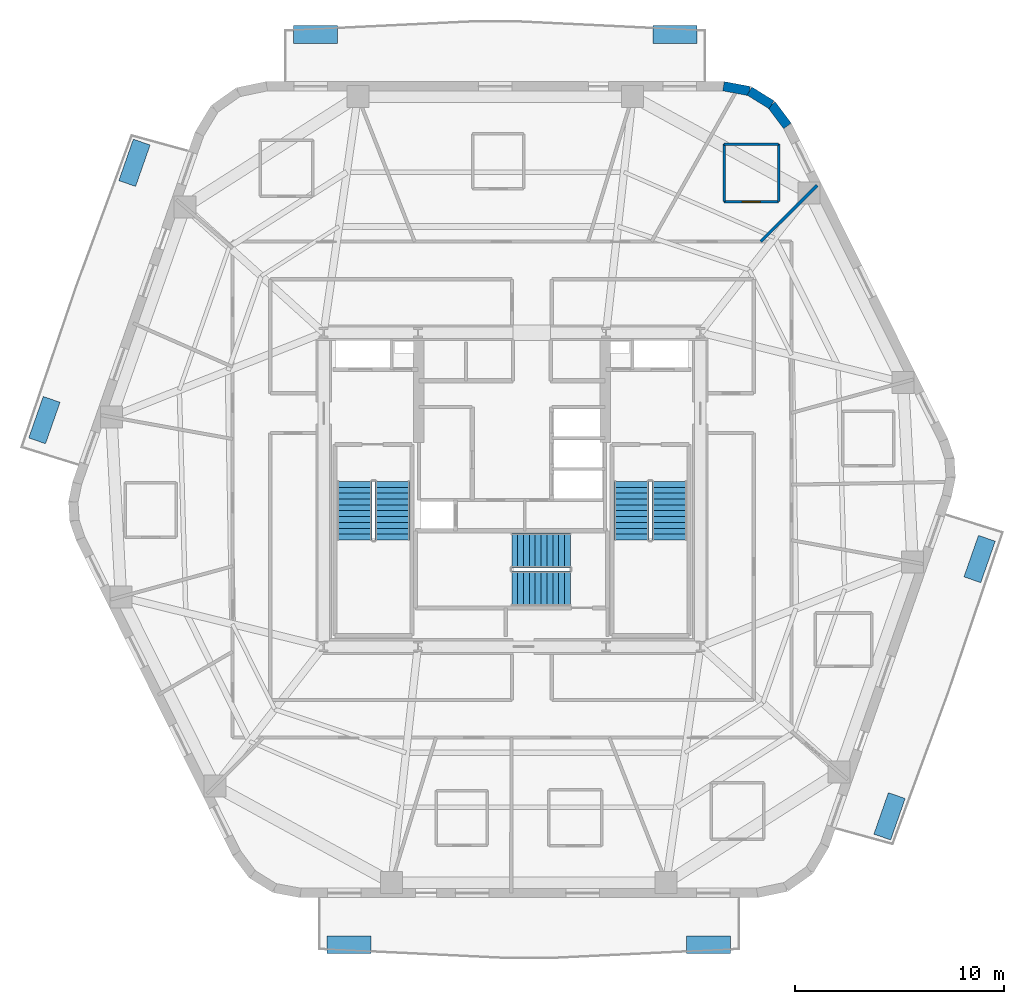
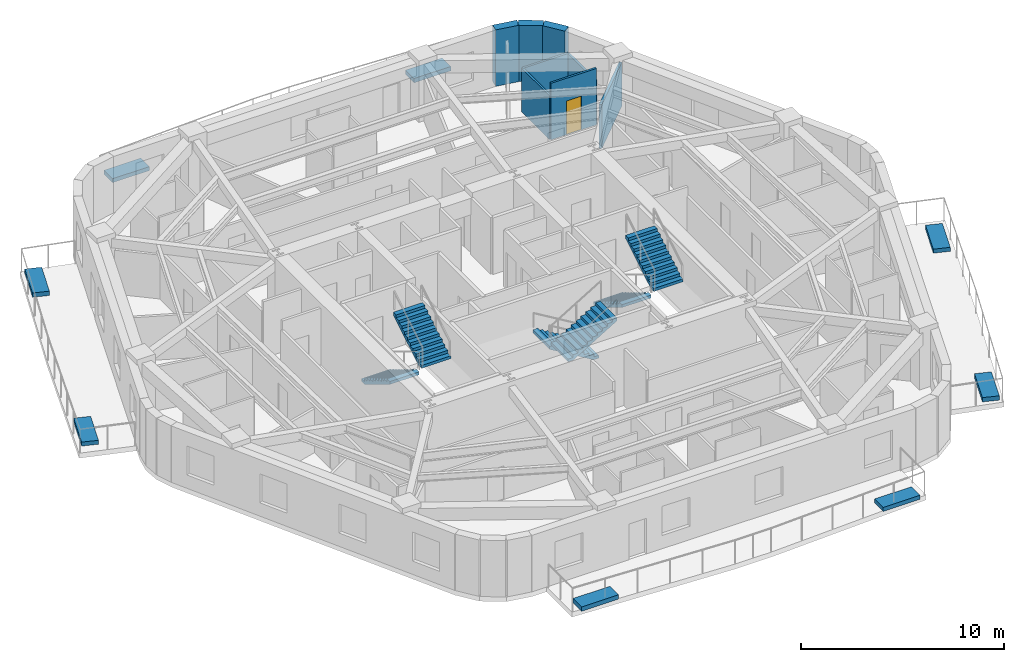
# One storey, part 7 of 11: 8 discrete accessories, 8 walls, 6 stair flights, 1 door, 1 opening, 3 elements without a shape of their own.
"""IFC4 building model written with IfcOpenShell, lengths in metres."""

import ifcopenshell
import ifcopenshell.guid

model = None  # the IFC model being written
_history = None  # IfcOwnerHistory: only IFC2X3 demands one
_inside = {}  # id of a spatial element -> (the spatial element, [elements in it])
_under = {}  # id of a project, library or spatial element -> (it, [spatial elements below it])
_declared = {}  # id of a project -> (the project, [libraries it declares])
_typed = {}  # id of a type object -> (the type object, [elements of that type])
_made_of = {}  # id of a material, layer set ... -> (it, [elements and type objects made of it])


def new_model(schema):
    """Start an empty IFC model of exactly this schema.

    Asked for "IFC4X3", IfcOpenShell would pick the latest addendum, in which some entities
    have other attributes; the version numbers below select the first issue.
    IFC2X3 requires an IfcOwnerHistory on every rooted entity: one is made here for all.
    """
    global model, _history
    if schema == "IFC4X3":
        model = ifcopenshell.file(schema_version=(4, 3, 0, 0))
    else:
        model = ifcopenshell.file(schema=schema)
    _inside.clear()
    _under.clear()
    _declared.clear()
    _typed.clear()
    _made_of.clear()
    _history = None
    if model.schema == "IFC2X3":
        org = make("IfcOrganization", Name="unknown")
        user = make(
            "IfcPersonAndOrganization",
            ThePerson=make("IfcPerson", FamilyName="unknown"),
            TheOrganization=org,
        )
        app = make(
            "IfcApplication",
            ApplicationDeveloper=org,
            Version="unknown",
            ApplicationFullName="unknown",
            ApplicationIdentifier="unknown",
        )
        _history = make(
            "IfcOwnerHistory",
            OwningUser=user,
            OwningApplication=app,
            ChangeAction="ADDED",
            CreationDate=0,
        )
    return model


def make(cls, **values):
    """One entity of the class cls with the attributes given. An attribute that is None is left unset."""
    return model.create_entity(
        cls, **{name: value for name, value in values.items() if value is not None}
    )


def rooted(cls, **values):
    """An entity with a GlobalId (a new one), such as an element, a storey or a relation."""
    return make(cls, GlobalId=ifcopenshell.guid.new(), OwnerHistory=_history, **values)


def si_unit(unit_type, name, prefix=None):
    """IfcSIUnit, for example si_unit("LENGTHUNIT", "METRE", prefix="MILLI")."""
    return make("IfcSIUnit", UnitType=unit_type, Prefix=prefix, Name=name)


def assignment(units):
    """IfcUnitAssignment: the units of a project."""
    return None if units is None else make("IfcUnitAssignment", Units=units)


def point(xyz):
    """IfcCartesianPoint."""
    return None if xyz is None else make("IfcCartesianPoint", Coordinates=xyz)


def direction(xyz):
    """IfcDirection."""
    return None if xyz is None else make("IfcDirection", DirectionRatios=xyz)


def frame(location, z_axis=None, x_axis=None):
    """IfcAxis2Placement3D, a coordinate frame: its origin and axes. An axis left out is left unset."""
    return make(
        "IfcAxis2Placement3D",
        Location=point(location),
        Axis=direction(z_axis),
        RefDirection=direction(x_axis),
    )


def frame_2d(location, x_axis=None):
    """IfcAxis2Placement2D, a coordinate frame in the plane: its origin and x axis."""
    return make(
        "IfcAxis2Placement2D", Location=point(location), RefDirection=direction(x_axis)
    )


def origin():
    """The frame at (0, 0, 0) with its axes left unset."""
    return frame((0.0, 0.0, 0.0))


def origin_2d():
    """The frame at (0, 0) in the plane with its x axis left unset."""
    return frame_2d((0.0, 0.0))


def place(relative_to, where):
    """IfcLocalPlacement: puts the frame where relative to a parent placement (None: the world)."""
    return make(
        "IfcLocalPlacement", PlacementRelTo=relative_to, RelativePlacement=where
    )


def context(
    kind, dimensions, precision=None, world=None, true_north=None, identifier=None
):
    """IfcGeometricRepresentationContext, for example the 3D "Model" context."""
    return make(
        "IfcGeometricRepresentationContext",
        ContextIdentifier=identifier,
        ContextType=kind,
        CoordinateSpaceDimension=dimensions,
        Precision=precision,
        WorldCoordinateSystem=world,
        TrueNorth=true_north,
    )


def subcontext(parent, identifier, kind, view, scale=None):
    """IfcGeometricRepresentationSubContext, for example "Body" below "Model"."""
    return make(
        "IfcGeometricRepresentationSubContext",
        ContextIdentifier=identifier,
        ContextType=kind,
        ParentContext=parent,
        TargetScale=scale,
        TargetView=view,
    )


def project(units=None, contexts=None):
    """IfcProject with its units and contexts."""
    return rooted(
        "IfcProject",
        Name="project",
        RepresentationContexts=contexts,
        UnitsInContext=assignment(units),
    )


def spatial(cls, under=None, at=None, **own):
    """A site, building, storey or space (cls), placed at a placement, below another one or the project."""
    s = rooted(cls, ObjectPlacement=at, **own)
    if under is not None:
        _under.setdefault(under.id(), (under, []))[1].append(s)
    return s


def polyline(points):
    """IfcPolyline through the points."""
    return make("IfcPolyline", Points=[point(p) for p in points])


def profile(cls, at=None, kind="AREA", **sizes):
    """A parametric profile (cls). Its sizes go by their IFC names, for example OverallWidth=200.0."""
    return make(cls, ProfileType=kind, Position=at, **sizes)


def rectangle(**sizes):
    """IfcRectangleProfileDef."""
    return profile("IfcRectangleProfileDef", **sizes)


def outline(outer, holes=None, kind="AREA"):
    """IfcArbitraryClosedProfileDef: a profile drawn as a closed curve; with holes, ...WithVoids."""
    if holes is None:
        return make("IfcArbitraryClosedProfileDef", ProfileType=kind, OuterCurve=outer)
    return make(
        "IfcArbitraryProfileDefWithVoids",
        ProfileType=kind,
        OuterCurve=outer,
        InnerCurves=holes,
    )


def extrude(swept, where, along, depth):
    """IfcExtrudedAreaSolid: the profile swept, set in the frame where, extruded along a direction by depth."""
    return make(
        "IfcExtrudedAreaSolid",
        SweptArea=swept,
        Position=where,
        ExtrudedDirection=direction(along),
        Depth=depth,
    )


def shape(context_of_items, identifier, shape_type, items):
    """IfcShapeRepresentation: the items that make up one representation, for example the "Body"."""
    return make(
        "IfcShapeRepresentation",
        ContextOfItems=context_of_items,
        RepresentationIdentifier=identifier,
        RepresentationType=shape_type,
        Items=items,
    )


def material(Name=None, Category=None):
    """IfcMaterial."""
    return make("IfcMaterial", Name=Name, Category=Category)


def layer(
    of_material, thickness, ventilated=None, Name=None, Category=None, Priority=None
):
    """IfcMaterialLayer: one layer of a wall or slab, of a material (None: an air gap)."""
    return make(
        "IfcMaterialLayer",
        Material=of_material,
        LayerThickness=thickness,
        IsVentilated=ventilated,
        Name=Name,
        Category=Category,
        Priority=Priority,
    )


def layer_set(layers, Name=None):
    """IfcMaterialLayerSet."""
    return make("IfcMaterialLayerSet", MaterialLayers=layers, LayerSetName=Name)


def made_of(thing, what):
    """Note that an element or type object is made of a material, layer set ...; save() writes the relation."""
    if what is not None:
        _made_of.setdefault(what.id(), (what, []))[1].append(thing)
    return thing


def type_object(cls, material=None, **own):
    """A type object (cls), such as IfcWallType, which elements share."""
    return made_of(rooted(cls, **own), material)


def element(
    cls,
    number,
    at=None,
    inside=None,
    cuts=None,
    type_object=None,
    material=None,
    context=None,
    identifier="Body",
    shape_type=None,
    held_by="IfcProductDefinitionShape",
    body=None,
    shapes=None,
    **own,
):
    """One element of the class cls, such as IfcWall. Its Tag is "e" and its number.

    at: its placement. inside: the storey or other place that contains it. cuts: it is an
    opening in that element (IfcRelVoidsElement). A single representation is given by context,
    identifier, shape_type and body (its items); several are given by shapes. held_by: the class
    of the entity that holds the representations. save() writes the other relations.
    """
    e = rooted(cls, Tag="e%d" % number, ObjectPlacement=at, **own)
    if body is not None:
        shapes = [shape(context, identifier, shape_type, body)]
    if shapes is not None:
        e.Representation = make(held_by, Representations=shapes)
    if inside is not None:
        _inside.setdefault(inside.id(), (inside, []))[1].append(e)
    if cuts is not None:
        rooted(
            "IfcRelVoidsElement", RelatingBuildingElement=cuts, RelatedOpeningElement=e
        )
    if type_object is not None:
        _typed.setdefault(type_object.id(), (type_object, []))[1].append(e)
    return made_of(e, material)


def fill(opening, filler):
    """IfcRelFillsElement: the door or window that sits in an opening."""
    return rooted(
        "IfcRelFillsElement",
        RelatingOpeningElement=opening,
        RelatedBuildingElement=filler,
    )


def aggregate(whole, parts):
    """IfcRelAggregates: a whole, such as a stair, and the parts it consists of."""
    return rooted("IfcRelAggregates", RelatingObject=whole, RelatedObjects=parts)


def save(model, path):
    """Write the relations noted so far, then the file.

    IfcRelAggregates (storeys below a building ...), IfcRelContainedInSpatialStructure (elements
    in a storey), IfcRelDefinesByType, IfcRelAssociatesMaterial and IfcRelDeclares: one each for
    every whole, place, type object, material and project.
    """
    for whole, parts in _under.values():
        aggregate(whole, parts)
    for where, things in _inside.values():
        rooted(
            "IfcRelContainedInSpatialStructure",
            RelatedElements=things,
            RelatingStructure=where,
        )
    for kind, things in _typed.values():
        rooted("IfcRelDefinesByType", RelatedObjects=things, RelatingType=kind)
    for what, things in _made_of.values():
        rooted("IfcRelAssociatesMaterial", RelatedObjects=things, RelatingMaterial=what)
    for by, libraries in _declared.values():
        rooted("IfcRelDeclares", RelatingContext=by, RelatedDefinitions=libraries)
    model.write(path)


model = new_model("IFC4")

# Units and contexts
model_context = context("Model", 3, precision=1e-05, world=origin(), true_north=direction((0.0, 1.0)))
body_context = subcontext(model_context, "Body", "Model", "MODEL_VIEW")
ifc_project = project(units=[si_unit("LENGTHUNIT", "METRE"), si_unit("AREAUNIT", "SQUARE_METRE"), si_unit("VOLUMEUNIT", "CUBIC_METRE"), si_unit("PLANEANGLEUNIT", "RADIAN"), si_unit("MASSUNIT", "GRAM", prefix="KILO")], contexts=[model_context])

# Site, building, storey
site_placement = place(None, origin())
site = spatial("IfcSite", under=ifc_project, at=site_placement, CompositionType="ELEMENT")
building_placement = place(site_placement, origin())
building = spatial("IfcBuilding", under=site, at=building_placement, Name="Kilnhurst Terrace Hotel", CompositionType="ELEMENT")
storey_placement = place(building_placement, frame((0.0, 0.0, 194.10009765625)))
storey = spatial("IfcBuildingStorey", under=building, at=storey_placement, Name="L48", CompositionType="ELEMENT", Elevation=194.10009765625)

# Walls
ifc_material_1 = material(Name="Precast concrete C40/50", Category="concrete")
ifc_layer_1 = layer(ifc_material_1, 0.449951171875, Name="Precast concrete C40/50")
ifc_layer_set_1 = layer_set([ifc_layer_1], Name="Precast concrete C40/50")
wall_type_1 = type_object("IfcWallType", Name="WL-BRK-450", PredefinedType="SOLIDWALL", material=ifc_layer_set_1)
wall_1_placement = place(storey_placement, frame((13.162353515625, 17.380615234375, 0.0), z_axis=(0.0, 0.0, 1.0), x_axis=(-0.601515770517, 0.798860925205, 0.0)))
element("IfcWall", 1, at=wall_1_placement, inside=storey, type_object=wall_type_1, Name="L48 Rounded Corner Brick Wall C4.1", PredefinedType="SOLIDWALL", context=body_context, shape_type="SweptSolid", body=[
    extrude(rectangle(XDim=1.261962890625, YDim=0.449951171875, at=frame_2d((0.630859375, 0.0))), origin(), (0.0, 0.0, 1.0), 3.39990234375),
])
wall_2_placement = place(storey_placement, frame((12.4033203125, 18.388671875, 0.0), z_axis=(0.0, 0.0, 1.0), x_axis=(-0.849795170926, 0.527113049991, 0.0)))
element("IfcWall", 2, at=wall_2_placement, inside=storey, type_object=wall_type_1, Name="L48 Rounded Corner Brick Wall C4.2", PredefinedType="SOLIDWALL", context=body_context, shape_type="SweptSolid", body=[
    extrude(rectangle(XDim=1.24072265625, YDim=0.449951171875, at=frame_2d((0.620361328125, 0.0))), origin(), (0.0, 0.0, 1.0), 3.39990234375),
])
wall_3_placement = place(storey_placement, frame((11.348876953125, 19.042724609375, 0.0), z_axis=(0.0, 0.0, 1.0), x_axis=(-0.982931267051, 0.183973161772, 0.0)))
element("IfcWall", 3, at=wall_3_placement, inside=storey, type_object=wall_type_1, Name="L48 Rounded Corner Brick Wall C4.3", PredefinedType="SOLIDWALL", context=body_context, shape_type="SweptSolid", body=[
    extrude(rectangle(XDim=1.261962890625, YDim=0.449951171875, at=frame_2d((0.630859375, 0.0))), origin(), (0.0, 0.0, 1.0), 3.39990234375),
])
ifc_material_2 = material(Name="STC-58 Acoustic Twin-Frame Guestroom Demising Partition")
ifc_layer_2 = layer(ifc_material_2, 0.14990234375, Name="STC-58 Acoustic Twin-Frame Guestroom Demising Partition")
ifc_layer_set_2 = layer_set([ifc_layer_2], Name="STC-58 Acoustic Twin-Frame Guestroom Demising Partition")
wall_type_2 = type_object("IfcWallType", Name="WL-DEM-150", PredefinedType="PARTITIONING", material=ifc_layer_set_2)
wall_4_placement = place(storey_placement, frame((11.8818359375, 11.85009765625, 0.0), z_axis=(0.0, 0.0, 1.0), x_axis=(0.708037373639, 0.706174962407, 0.0)))
element("IfcWall", 4, at=wall_4_placement, inside=storey, type_object=wall_type_2, Name="L48 Interior Wall WL-L48-DEM-COL02-03-1", PredefinedType="PARTITIONING", context=body_context, shape_type="SweptSolid", body=[
    extrude(rectangle(XDim=3.801513671875, YDim=0.14990234375, at=frame_2d((1.90087890625, 0.0))), origin(), (0.0, 0.0, 1.0), 2.639892578125),
])

# Wall, opening, door
ifc_material_3 = material(Name="120 mm Moisture-Resistant Tile-Backed Bathroom Partition")
ifc_layer_3 = layer(ifc_material_3, 0.1201171875, Name="120 mm Moisture-Resistant Tile-Backed Bathroom Partition")
ifc_layer_set_3 = layer_set([ifc_layer_3], Name="120 mm Moisture-Resistant Tile-Backed Bathroom Partition")
wall_type_3 = type_object("IfcWallType", Name="WL-PART-120", PredefinedType="PARTITIONING", material=ifc_layer_set_3)
wall_5_placement = place(storey_placement, frame((10.135986328125, 13.760986328125, 0.0), z_axis=(0.0, 0.0, 1.0), x_axis=(1.0, 0.0, 0.0)))
wall_5 = element("IfcWall", 5, at=wall_5_placement, inside=storey, type_object=wall_type_3, Name="L48 Interior Wall WL-L48-BTH-03-1", PredefinedType="PARTITIONING", context=body_context, shape_type="SweptSolid", body=[
    extrude(rectangle(XDim=2.60009765625, YDim=0.1201171875, at=frame_2d((1.300048828125, 0.0))), origin(), (0.0, 0.0, 1.0), 3.39990234375),
])
opening_placement = place(wall_5_placement, frame((0.875, 0.0, 0.0)))
opening = element("IfcOpeningElement", 6, at=opening_placement, cuts=wall_5, Name="Opening D-08A", PredefinedType="OPENING", context=body_context, shape_type="SweptSolid", body=[
    extrude(rectangle(XDim=0.85009765625, YDim=2.030029296875, at=frame_2d((0.425048828125, 1.01513671875))), frame((0.0, 0.070068359375, 0.0), z_axis=(0.0, -1.0, 0.0), x_axis=(1.0, 0.0, 0.0)), (0.0, 0.0, 1.0), 0.14013671875),
])
ifc_material_4 = material(Name="Moisture-Resistant Lacquered En-suite Bathroom Door")
door_type = type_object("IfcDoorType", Name="DR-INT-850", OperationType="NOTDEFINED", PredefinedType="DOOR", material=ifc_material_4)
door_placement = place(opening_placement, origin())
door = element("IfcDoor", 7, at=door_placement, inside=storey, type_object=door_type, Name="L48 En-suite Bathroom Door 3", OperationType="SINGLE_SWING_RIGHT", OverallHeight=2.030029296875, OverallWidth=0.85009765625, PredefinedType="DOOR", context=body_context, shape_type="SweptSolid", body=[
    extrude(rectangle(XDim=0.85009765625, YDim=2.030029296875, at=frame_2d((0.425048828125, 1.01513671875))), frame((0.0, 0.02490234375, 0.0), z_axis=(0.0, -1.0, 0.0), x_axis=(1.0, 0.0, 0.0)), (0.0, 0.0, 1.0), 0.050048828125),
])
fill(opening, door)

# Walls
wall_6_placement = place(storey_placement, frame((12.736083984375, 13.760986328125, 0.0), z_axis=(0.0, 0.0, 1.0), x_axis=(0.0, 1.0, 0.0)))
element("IfcWall", 8, at=wall_6_placement, inside=storey, type_object=wall_type_3, Name="L48 Interior Wall WL-L48-BTH-03-2", PredefinedType="PARTITIONING", context=body_context, shape_type="SweptSolid", body=[
    extrude(rectangle(XDim=2.75, YDim=0.1201171875, at=frame_2d((1.375, 0.0))), origin(), (0.0, 0.0, 1.0), 2.639892578125),
])
wall_7_placement = place(storey_placement, frame((12.736083984375, 16.510986328125, 0.0), z_axis=(0.0, 0.0, 1.0), x_axis=(-1.0, 0.0, 0.0)))
element("IfcWall", 9, at=wall_7_placement, inside=storey, type_object=wall_type_3, Name="L48 Interior Wall WL-L48-BTH-03-3", PredefinedType="PARTITIONING", context=body_context, shape_type="SweptSolid", body=[
    extrude(rectangle(XDim=2.60009765625, YDim=0.1201171875, at=frame_2d((1.300048828125, 0.0))), origin(), (0.0, 0.0, 1.0), 2.639892578125),
])
wall_8_placement = place(storey_placement, frame((10.135986328125, 16.510986328125, 0.0), z_axis=(0.0, 0.0, 1.0), x_axis=(0.0, -1.0, 0.0)))
element("IfcWall", 10, at=wall_8_placement, inside=storey, type_object=wall_type_3, Name="L48 Interior Wall WL-L48-BTH-03-4", PredefinedType="PARTITIONING", context=body_context, shape_type="SweptSolid", body=[
    extrude(rectangle(XDim=2.75, YDim=0.1201171875, at=frame_2d((1.375, 0.0))), origin(), (0.0, 0.0, 1.0), 2.639892578125),
])

# Stair, stair flights
ifc_material_5 = material(Name="Concrete C50/60", Category="concrete")
stair_type = type_object("IfcStairType", Name="STR-CORE-1660", PredefinedType="HALF_TURN_STAIR", material=ifc_material_5)
stair_1_placement = place(storey_placement, origin())
stair_1 = element("IfcStair", 11, at=stair_1_placement, inside=storey, type_object=stair_type, Name="L48 ST-1", PredefinedType="HALF_TURN_STAIR")
stair_flight_type = type_object("IfcStairFlightType", Name="FLT-RC-1660", PredefinedType="STRAIGHT", material=ifc_material_5)
stair_flight_1_placement = place(storey_placement, frame((-7.52001953125, 0.389892578125, 0.0), z_axis=(0.0, 0.0, 1.0), x_axis=(0.0, -1.0, 0.0)))
stair_flight_1 = element("IfcStairFlight", 12, at=stair_flight_1_placement, type_object=stair_flight_type, Name="ST-1 flight 1", NumberOfRisers=11, NumberOfTreads=10, PredefinedType="STRAIGHT", RiserHeight=0.168181818, TreadLength=0.28, context=body_context, shape_type="SweptSolid", body=[
    extrude(outline(polyline([(0.0, 0.0), (0.0, 0.168212890625), (0.280029296875, 0.168212890625), (0.280029296875, 0.33642578125), (0.56005859375, 0.33642578125), (0.56005859375, 0.504638671875), (0.840087890625, 0.504638671875), (0.840087890625, 0.672607421875), (1.1201171875, 0.672607421875), (1.1201171875, 0.8408203125), (1.39990234375, 0.8408203125), (1.39990234375, 1.009033203125), (1.679931640625, 1.009033203125), (1.679931640625, 1.17724609375), (1.9599609375, 1.17724609375), (1.9599609375, 1.345458984375), (2.239990234375, 1.345458984375), (2.239990234375, 1.513671875), (2.52001953125, 1.513671875), (2.52001953125, 1.681884765625), (2.800048828125, 1.681884765625), (2.800048828125, 1.85009765625), (2.800048828125, 1.5068359375), (0.291015625, 0.0), (0.0, 0.0)])), frame((0.0, 0.830078125, 0.0), z_axis=(0.0, -1.0, 0.0), x_axis=(1.0, 0.0, 0.0)), (0.0, 0.0, 1.0), 1.659912109375),
])
stair_flight_2_placement = place(storey_placement, frame((-5.7099609375, -2.409912109375, 1.849853515625), z_axis=(0.0, 0.0, 1.0), x_axis=(0.0, 1.0, 0.0)))
stair_flight_2 = element("IfcStairFlight", 13, at=stair_flight_2_placement, type_object=stair_flight_type, Name="ST-1 flight 2", NumberOfRisers=11, NumberOfTreads=10, PredefinedType="STRAIGHT", RiserHeight=0.168181818, TreadLength=0.28, context=body_context, shape_type="SweptSolid", body=[
    extrude(outline(polyline([(0.0, 0.0), (0.0, 0.168212890625), (0.280029296875, 0.168212890625), (0.280029296875, 0.33642578125), (0.56005859375, 0.33642578125), (0.56005859375, 0.504638671875), (0.840087890625, 0.504638671875), (0.840087890625, 0.672607421875), (1.1201171875, 0.672607421875), (1.1201171875, 0.8408203125), (1.39990234375, 0.8408203125), (1.39990234375, 1.009033203125), (1.679931640625, 1.009033203125), (1.679931640625, 1.17724609375), (1.9599609375, 1.17724609375), (1.9599609375, 1.345458984375), (2.239990234375, 1.345458984375), (2.239990234375, 1.513671875), (2.52001953125, 1.513671875), (2.52001953125, 1.681884765625), (2.800048828125, 1.681884765625), (2.800048828125, 1.85009765625), (2.800048828125, 1.5068359375), (0.291015625, 0.0), (0.0, 0.0)])), frame((0.0, 0.830078125, 0.0), z_axis=(0.0, -1.0, 0.0), x_axis=(1.0, 0.0, 0.0)), (0.0, 0.0, 1.0), 1.659912109375),
])
aggregate(stair_1, [stair_flight_1, stair_flight_2])

stair_2_placement = place(storey_placement, origin())
stair_2 = element("IfcStair", 14, at=stair_2_placement, inside=storey, type_object=stair_type, Name="L48 ST-2", PredefinedType="HALF_TURN_STAIR")
stair_flight_3_placement = place(storey_placement, frame((5.7099609375, 0.389892578125, 0.0), z_axis=(0.0, 0.0, 1.0), x_axis=(0.0, -1.0, 0.0)))
stair_flight_3 = element("IfcStairFlight", 15, at=stair_flight_3_placement, type_object=stair_flight_type, Name="ST-2 flight 1", NumberOfRisers=11, NumberOfTreads=10, PredefinedType="STRAIGHT", RiserHeight=0.168181818, TreadLength=0.28, context=body_context, shape_type="SweptSolid", body=[
    extrude(outline(polyline([(0.0, 0.0), (0.0, 0.168212890625), (0.280029296875, 0.168212890625), (0.280029296875, 0.33642578125), (0.56005859375, 0.33642578125), (0.56005859375, 0.504638671875), (0.840087890625, 0.504638671875), (0.840087890625, 0.672607421875), (1.1201171875, 0.672607421875), (1.1201171875, 0.8408203125), (1.39990234375, 0.8408203125), (1.39990234375, 1.009033203125), (1.679931640625, 1.009033203125), (1.679931640625, 1.17724609375), (1.9599609375, 1.17724609375), (1.9599609375, 1.345458984375), (2.239990234375, 1.345458984375), (2.239990234375, 1.513671875), (2.52001953125, 1.513671875), (2.52001953125, 1.681884765625), (2.800048828125, 1.681884765625), (2.800048828125, 1.85009765625), (2.800048828125, 1.5068359375), (0.291015625, 0.0), (0.0, 0.0)])), frame((0.0, 0.830078125, 0.0), z_axis=(0.0, -1.0, 0.0), x_axis=(1.0, 0.0, 0.0)), (0.0, 0.0, 1.0), 1.659912109375),
])
stair_flight_4_placement = place(storey_placement, frame((7.52001953125, -2.409912109375, 1.849853515625), z_axis=(0.0, 0.0, 1.0), x_axis=(0.0, 1.0, 0.0)))
stair_flight_4 = element("IfcStairFlight", 16, at=stair_flight_4_placement, type_object=stair_flight_type, Name="ST-2 flight 2", NumberOfRisers=11, NumberOfTreads=10, PredefinedType="STRAIGHT", RiserHeight=0.168181818, TreadLength=0.28, context=body_context, shape_type="SweptSolid", body=[
    extrude(outline(polyline([(0.0, 0.0), (0.0, 0.168212890625), (0.280029296875, 0.168212890625), (0.280029296875, 0.33642578125), (0.56005859375, 0.33642578125), (0.56005859375, 0.504638671875), (0.840087890625, 0.504638671875), (0.840087890625, 0.672607421875), (1.1201171875, 0.672607421875), (1.1201171875, 0.8408203125), (1.39990234375, 0.8408203125), (1.39990234375, 1.009033203125), (1.679931640625, 1.009033203125), (1.679931640625, 1.17724609375), (1.9599609375, 1.17724609375), (1.9599609375, 1.345458984375), (2.239990234375, 1.345458984375), (2.239990234375, 1.513671875), (2.52001953125, 1.513671875), (2.52001953125, 1.681884765625), (2.800048828125, 1.681884765625), (2.800048828125, 1.85009765625), (2.800048828125, 1.5068359375), (0.291015625, 0.0), (0.0, 0.0)])), frame((0.0, 0.830078125, 0.0), z_axis=(0.0, -1.0, 0.0), x_axis=(1.0, 0.0, 0.0)), (0.0, 0.0, 1.0), 1.659912109375),
])
aggregate(stair_2, [stair_flight_3, stair_flight_4])

stair_3_placement = place(storey_placement, origin())
stair_3 = element("IfcStair", 17, at=stair_3_placement, inside=storey, type_object=stair_type, Name="L48 ST-3", PredefinedType="HALF_TURN_STAIR")
stair_flight_5_placement = place(storey_placement, frame((2.7900390625, -2.909912109375, 0.0), z_axis=(0.0, 0.0, 1.0), x_axis=(-1.0, 0.0, 0.0)))
stair_flight_5 = element("IfcStairFlight", 18, at=stair_flight_5_placement, type_object=stair_flight_type, Name="ST-3 flight 1", NumberOfRisers=11, NumberOfTreads=10, PredefinedType="STRAIGHT", RiserHeight=0.168181818, TreadLength=0.28, context=body_context, shape_type="SweptSolid", body=[
    extrude(outline(polyline([(0.0, 0.0), (0.0, 0.168212890625), (0.280029296875, 0.168212890625), (0.280029296875, 0.33642578125), (0.56005859375, 0.33642578125), (0.56005859375, 0.504638671875), (0.840087890625, 0.504638671875), (0.840087890625, 0.672607421875), (1.1201171875, 0.672607421875), (1.1201171875, 0.8408203125), (1.39990234375, 0.8408203125), (1.39990234375, 1.009033203125), (1.679931640625, 1.009033203125), (1.679931640625, 1.17724609375), (1.9599609375, 1.17724609375), (1.9599609375, 1.345458984375), (2.239990234375, 1.345458984375), (2.239990234375, 1.513671875), (2.52001953125, 1.513671875), (2.52001953125, 1.681884765625), (2.800048828125, 1.681884765625), (2.800048828125, 1.85009765625), (2.800048828125, 1.5068359375), (0.291015625, 0.0), (0.0, 0.0)])), frame((0.0, 0.830078125, 0.0), z_axis=(0.0, -1.0, 0.0), x_axis=(1.0, 0.0, 0.0)), (0.0, 0.0, 1.0), 1.659912109375),
])
stair_flight_6_placement = place(storey_placement, frame((-0.010009765625, -4.719970703125, 1.849853515625), z_axis=(0.0, 0.0, 1.0), x_axis=(1.0, 0.0, 0.0)))
stair_flight_6 = element("IfcStairFlight", 19, at=stair_flight_6_placement, type_object=stair_flight_type, Name="ST-3 flight 2", NumberOfRisers=11, NumberOfTreads=10, PredefinedType="STRAIGHT", RiserHeight=0.168181818, TreadLength=0.28, context=body_context, shape_type="SweptSolid", body=[
    extrude(outline(polyline([(0.0, 0.0), (0.0, 0.168212890625), (0.280029296875, 0.168212890625), (0.280029296875, 0.33642578125), (0.56005859375, 0.33642578125), (0.56005859375, 0.504638671875), (0.840087890625, 0.504638671875), (0.840087890625, 0.672607421875), (1.1201171875, 0.672607421875), (1.1201171875, 0.8408203125), (1.39990234375, 0.8408203125), (1.39990234375, 1.009033203125), (1.679931640625, 1.009033203125), (1.679931640625, 1.17724609375), (1.9599609375, 1.17724609375), (1.9599609375, 1.345458984375), (2.239990234375, 1.345458984375), (2.239990234375, 1.513671875), (2.52001953125, 1.513671875), (2.52001953125, 1.681884765625), (2.800048828125, 1.681884765625), (2.800048828125, 1.85009765625), (2.800048828125, 1.5068359375), (0.291015625, 0.0), (0.0, 0.0)])), frame((0.0, 0.830078125, 0.0), z_axis=(0.0, -1.0, 0.0), x_axis=(1.0, 0.0, 0.0)), (0.0, 0.0, 1.0), 1.659912109375),
])
aggregate(stair_3, [stair_flight_5, stair_flight_6])

# Discrete accessories
ifc_material_6 = material(Name="Precast Concrete C40/50 Shrub Planter", Category="concrete")
discrete_accessory_type_1 = type_object("IfcDiscreteAccessoryType", Name="PLN-SHRUB-240", PredefinedType="USERDEFINED", material=ifc_material_6)
for number, where, z_axis, x_axis, name in (
    (20, (9.3935546875, -21.75, 0.0), (0.0, 0.0, 1.0), (1.0, 0.0, 0.0), "L48 Structural Tree Planter Box PLANTER BAL-L1A.2"),
    (21, (22.34619140625, -3.319580078125, 0.0), (0.0, 0.0, 1.0), (0.330432029284, 0.943829790811, 0.0), "L48 Structural Tree Planter Box PLANTER BAL-L1B.2"),
    (22, (-9.3935546875, 21.75, 0.0), (0.0, 0.0, 1.0), (-1.0, 0.0, 0.0), "L48 Structural Tree Planter Box PLANTER BAL-L2A.2"),
    (23, (-22.34619140625, 3.319580078125, 0.0), (0.0, 0.0, 1.0), (-0.330432029284, -0.943829790811, 0.0), "L48 Structural Tree Planter Box PLANTER BAL-L2B.2"),
):
    element("IfcDiscreteAccessory", number, at=place(storey_placement, frame(where, z_axis=z_axis, x_axis=x_axis)), inside=storey, type_object=discrete_accessory_type_1, Name=name, ObjectType="PLANTER", PredefinedType="USERDEFINED", context=body_context, shape_type="SweptSolid", body=[
        extrude(rectangle(XDim=2.10009765625, YDim=0.85009765625, at=origin_2d()), origin(), (0.0, 0.0, 1.0), 0.239990234375),
    ])
ifc_material_7 = material(Name="Precast Concrete C40/50 Tree Planter", Category="concrete")
discrete_accessory_type_2 = type_object("IfcDiscreteAccessoryType", Name="PLN-TREE-260", PredefinedType="USERDEFINED", material=ifc_material_7)
for number, where, z_axis, x_axis, name in (
    (24, (-7.779296875, -21.75, 0.0), (0.0, 0.0, 1.0), (1.0, 0.0, 0.0), "L48 Structural Tree Planter Box PLANTER BAL-L1A.1"),
    (25, (18.04150390625, -15.614990234375, 0.0), (0.0, 0.0, 1.0), (0.330432029284, 0.943829790811, 0.0), "L48 Structural Tree Planter Box PLANTER BAL-L1B.1"),
    (26, (7.779296875, 21.75, 0.0), (0.0, 0.0, 1.0), (-1.0, 0.0, 0.0), "L48 Structural Tree Planter Box PLANTER BAL-L2A.1"),
    (27, (-18.04150390625, 15.614990234375, 0.0), (0.0, 0.0, 1.0), (-0.330432029284, -0.943829790811, 0.0), "L48 Structural Tree Planter Box PLANTER BAL-L2B.1"),
):
    element("IfcDiscreteAccessory", number, at=place(storey_placement, frame(where, z_axis=z_axis, x_axis=x_axis)), inside=storey, type_object=discrete_accessory_type_2, Name=name, ObjectType="PLANTER", PredefinedType="USERDEFINED", context=body_context, shape_type="SweptSolid", body=[
        extrude(rectangle(XDim=2.10009765625, YDim=0.85009765625, at=origin_2d()), origin(), (0.0, 0.0, 1.0), 0.260009765625),
    ])

save(model, "model.ifc")
